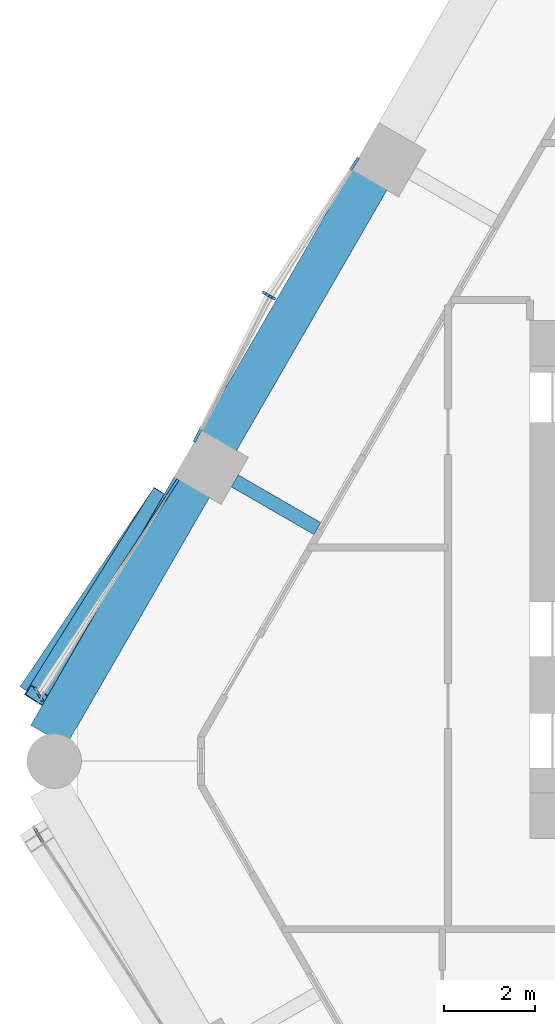
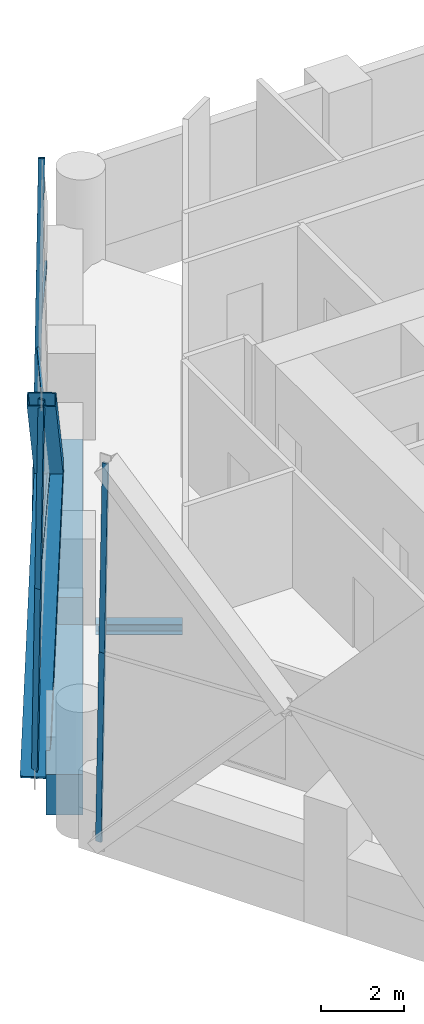
# One storey, part 4 of 16: 11 members, 3 beams, 3 elements without a shape of their own.
"""IFC4 building model written with IfcOpenShell, lengths in metres."""

from ifc_helpers import new_model, si_unit, direction, frame, origin, origin_2d, place, context, subcontext, project, spatial, rectangle, hollow_rectangle, i_section, extrude, material, material_profile, profile_set, type_object, element, aggregate, save


model = new_model("IFC4")

# Units and contexts
model_context = context("Model", 3, precision=1e-05, world=origin(), true_north=direction((0.0, 1.0)))
body_context = subcontext(model_context, "Body", "Model", "MODEL_VIEW")
ifc_project = project(units=[si_unit("LENGTHUNIT", "METRE"), si_unit("AREAUNIT", "SQUARE_METRE"), si_unit("VOLUMEUNIT", "CUBIC_METRE"), si_unit("PLANEANGLEUNIT", "RADIAN"), si_unit("MASSUNIT", "GRAM", prefix="KILO")], contexts=[model_context])

# Site, building, storey
site_placement = place(None, origin())
site = spatial("IfcSite", under=ifc_project, at=site_placement, CompositionType="ELEMENT")
building_placement = place(site_placement, origin())
building = spatial("IfcBuilding", under=site, at=building_placement, Name="Ostrander Bayou Hotel Tower", CompositionType="ELEMENT")
storey_placement = place(building_placement, frame((0.0, 0.0, 85.5)))
storey = spatial("IfcBuildingStorey", under=building, at=storey_placement, Name="L21", CompositionType="ELEMENT", Elevation=85.5)

# Curtain wall, members
ifc_material_1 = material(Name="Aluminium and clear glass", Category="aluminium")
curtain_wall_type = type_object("IfcCurtainWallType", Name="CW-LAT lattice glazing", PredefinedType="NOTDEFINED", material=ifc_material_1)
curtain_wall_1_placement = place(storey_placement, origin())
curtain_wall_1 = element("IfcCurtainWall", 1, at=curtain_wall_1_placement, inside=storey, type_object=curtain_wall_type, Name="CW-LAT L21 NW 1", PredefinedType="NOTDEFINED")
ifc_material_2 = material(Name="Aluminium", Category="aluminium")
ifc_material_profile_1 = material_profile(ifc_material_2, hollow_rectangle(XDim=0.06005859375, YDim=0.159912109375, WallThickness=0.00390625, at=origin_2d()))
ifc_profile_set_1 = profile_set([ifc_material_profile_1], Name="Aluminium")
member_type_1 = type_object("IfcMemberType", Name="CW-LA mullion 60 x 160 mm", PredefinedType="MULLION", material=ifc_profile_set_1)
member_1_placement = place(storey_placement, frame((-17.814208984375, 10.284912109375, -0.60009765625), z_axis=(0.012585478078, -0.007247499445, 0.999894534185), x_axis=(0.499032451057, 0.866583298242, 0.0)))
member_1 = element("IfcMember", 2, at=member_1_placement, type_object=member_type_1, Name="CW-LAT mullion 1", PredefinedType="MULLION", context=body_context, shape_type="SweptSolid", body=[
    extrude(hollow_rectangle(XDim=0.06005859375, YDim=0.159912109375, WallThickness=0.00390625, at=origin_2d()), origin(), (0.0, 0.0, 1.0), 5.62548828125),
])
member_2_placement = place(storey_placement, frame((-17.743408203125, 10.244140625, 5.02490234375), z_axis=(0.012628865384, -0.007290891356, 0.999893671678), x_axis=(0.499980071345, 0.866036909293, 0.0)))
member_2 = element("IfcMember", 3, at=member_2_placement, type_object=member_type_1, Name="CW-LAT mullion 2", PredefinedType="MULLION", context=body_context, shape_type="SweptSolid", body=[
    extrude(hollow_rectangle(XDim=0.06005859375, YDim=0.159912109375, WallThickness=0.00390625, at=origin_2d()), origin(), (0.0, 0.0, 1.0), 5.62548828125),
])
member_3_placement = place(storey_placement, frame((-22.8564453125, 1.551513671875, -0.60009765625), z_axis=(0.008418950603, -0.014537878618, 0.99985887572), x_axis=(0.865367327112, 0.50113809391, 0.0)))
member_3 = element("IfcMember", 4, at=member_3_placement, type_object=member_type_1, Name="CW-LAT mullion 5", PredefinedType="MULLION", context=body_context, shape_type="SweptSolid", body=[
    extrude(hollow_rectangle(XDim=0.06005859375, YDim=0.159912109375, WallThickness=0.00390625, at=origin_2d()), origin(), (0.0, 0.0, 1.0), 5.625732421875),
])
member_4_placement = place(storey_placement, frame((-22.80908203125, 1.4697265625, 5.02490234375), z_axis=(0.008375557002, -0.014537883916, 0.999859240081), x_axis=(0.866486855147, 0.499199889682, 0.0)))
member_4 = element("IfcMember", 5, at=member_4_placement, type_object=member_type_1, Name="CW-LAT mullion 6", PredefinedType="MULLION", context=body_context, shape_type="SweptSolid", body=[
    extrude(hollow_rectangle(XDim=0.06005859375, YDim=0.159912109375, WallThickness=0.00390625, at=origin_2d()), origin(), (0.0, 0.0, 1.0), 5.625732421875),
])
aggregate(curtain_wall_1, [member_1, member_2, member_3, member_4])

curtain_wall_2_placement = place(storey_placement, origin())
curtain_wall_2 = element("IfcCurtainWall", 6, at=curtain_wall_2_placement, inside=storey, type_object=curtain_wall_type, Name="CW-LAT L21 SW 1", PredefinedType="NOTDEFINED")
member_5_placement = place(storey_placement, frame((-22.8564453125, -1.551513671875, -0.60009765625), z_axis=(0.008418950603, -0.014537878618, 0.99985887572), x_axis=(0.865367327112, 0.50113809391, 0.0)))
member_5 = element("IfcMember", 7, at=member_5_placement, type_object=member_type_1, Name="CW-LAT mullion 1", PredefinedType="MULLION", context=body_context, shape_type="SweptSolid", body=[
    extrude(hollow_rectangle(XDim=0.06005859375, YDim=0.159912109375, WallThickness=0.00390625, at=origin_2d()), origin(), (0.0, 0.0, 1.0), 5.625732421875),
])
member_6_placement = place(storey_placement, frame((-22.80908203125, -1.63330078125, 5.02490234375), z_axis=(0.008375557002, -0.014537883916, 0.999859240081), x_axis=(0.866486855147, 0.499199889682, 0.0)))
member_6 = element("IfcMember", 8, at=member_6_placement, type_object=member_type_1, Name="CW-LAT mullion 2", PredefinedType="MULLION", context=body_context, shape_type="SweptSolid", body=[
    extrude(hollow_rectangle(XDim=0.06005859375, YDim=0.159912109375, WallThickness=0.00390625, at=origin_2d()), origin(), (0.0, 0.0, 1.0), 5.625732421875),
])
aggregate(curtain_wall_2, [member_5, member_6])

curtain_wall_3_placement = place(storey_placement, origin())
curtain_wall_3 = element("IfcCurtainWall", 9, at=curtain_wall_3_placement, inside=storey, type_object=curtain_wall_type, Name="CW-LAT L21 NW 2", PredefinedType="NOTDEFINED")
ifc_material_3 = material(Name="Aluminium", Category="aluminium")
ifc_material_profile_2 = material_profile(ifc_material_3, hollow_rectangle(XDim=0.06005859375, YDim=0.1201171875, WallThickness=0.00390625, at=origin_2d()))
ifc_profile_set_2 = profile_set([ifc_material_profile_2], Name="Aluminium")
member_type_2 = type_object("IfcMemberType", Name="CW-LA transom 60 x 120 mm", PredefinedType="USERDEFINED", material=ifc_profile_set_2)
member_7_placement = place(storey_placement, frame((-17.743408203125, 10.244140625, 5.02490234375), z_axis=(0.544446826203, 0.838795358498, 0.0), x_axis=(-0.838795358498, 0.544446826203, 0.0)))
member_7 = element("IfcMember", 10, at=member_7_placement, type_object=member_type_2, Name="CW-LAT transom 3", ObjectType="TRANSOM", PredefinedType="USERDEFINED", context=body_context, shape_type="SweptSolid", body=[
    extrude(hollow_rectangle(XDim=0.06005859375, YDim=0.1201171875, WallThickness=0.00390625, at=origin_2d()), origin(), (0.0, 0.0, 1.0), 3.61376953125),
])
member_8_placement = place(storey_placement, frame((-17.743408203125, 10.244140625, 5.02490234375), z_axis=(-0.454202173952, -0.890898639115, 0.0), x_axis=(0.890898639115, -0.454202173952, 0.0)))
member_8 = element("IfcMember", 11, at=member_8_placement, type_object=member_type_2, Name="CW-LAT transom 4", ObjectType="TRANSOM", PredefinedType="USERDEFINED", context=body_context, shape_type="SweptSolid", body=[
    extrude(hollow_rectangle(XDim=0.06005859375, YDim=0.1201171875, WallThickness=0.00390625, at=origin_2d()), origin(), (0.0, 0.0, 1.0), 3.612060546875),
])
member_9_placement = place(storey_placement, frame((-22.80908203125, 1.4697265625, 5.02490234375), z_axis=(0.544395572658, 0.838828624017, 0.0), x_axis=(-0.838828624017, 0.544395572658, 0.0)))
member_9 = element("IfcMember", 12, at=member_9_placement, type_object=member_type_2, Name="CW-LAT transom 7", ObjectType="TRANSOM", PredefinedType="USERDEFINED", context=body_context, shape_type="SweptSolid", body=[
    extrude(hollow_rectangle(XDim=0.06005859375, YDim=0.1201171875, WallThickness=0.00390625, at=origin_2d()), origin(), (0.0, 0.0, 1.0), 5.632568359375),
])
aggregate(curtain_wall_3, [member_7, member_8, member_9])

# Beam
ifc_material_4 = material(Name="Steel ASTM A992", Category="steel")
ifc_material_profile_3 = material_profile(ifc_material_4, i_section(OverallWidth=0.3046875, OverallDepth=0.307861328125, WebThickness=0.010009765625, FlangeThickness=0.015380859375, at=origin_2d()))
ifc_profile_set_3 = profile_set([ifc_material_profile_3], Name="Steel ASTM A992")
beam_type_1 = type_object("IfcBeamType", Name="LB1 loggia bracket W12x65", PredefinedType="BEAM", material=ifc_profile_set_3)
beam_1_placement = place(storey_placement, frame((-18.494384765625, 6.166748046875, -0.453857421875), z_axis=(0.866009402589, -0.500027713859, 0.0), x_axis=(0.500027713859, 0.866009402589, 0.0)))
element("IfcBeam", 13, at=beam_1_placement, inside=storey, type_object=beam_type_1, Name="LB1 L21 NW2", PredefinedType="BEAM", context=body_context, shape_type="SweptSolid", body=[
    extrude(i_section(OverallWidth=0.3046875, OverallDepth=0.307861328125, WebThickness=0.010009765625, FlangeThickness=0.015380859375, at=origin_2d()), origin(), (0.0, 0.0, 1.0), 2.10009765625),
])

# Members
ifc_material_5 = material(Name="Steel ASTM A572 Gr 50", Category="steel")
ifc_material_profile_4 = material_profile(ifc_material_5, hollow_rectangle(XDim=0.699951171875, YDim=0.35009765625, WallThickness=0.02490234375, at=origin_2d()))
ifc_profile_set_4 = profile_set([ifc_material_profile_4], Name="Steel ASTM A572 Gr 50")
member_type_3 = type_object("IfcMemberType", Name="LT1 lattice member box 700 x 350 x 25 mm", PredefinedType="BRACE", material=ifc_profile_set_4)
member_10_placement = place(storey_placement, frame((-20.04736328125, 5.724853515625, 5.02490234375), z_axis=(-0.372240751599, -0.553023066907, -0.745387355888), x_axis=(0.829578236583, -0.558390499013, 0.0)))
element("IfcMember", 14, at=member_10_placement, inside=storey, type_object=member_type_3, Name="LT1 L21 NW 1", PredefinedType="BRACE", context=body_context, shape_type="SweptSolid", body=[
    extrude(hollow_rectangle(XDim=0.699951171875, YDim=0.35009765625, WallThickness=0.02490234375, at=origin_2d()), origin(), (0.0, 0.0, 1.0), 7.54638671875),
])
member_11_placement = place(storey_placement, frame((-20.04736328125, 5.724853515625, 5.02490234375), z_axis=(-0.357003417433, -0.570357829596, 0.739757058878), x_axis=(0.847644258819, -0.53056499177, 0.0)))
element("IfcMember", 15, at=member_11_placement, inside=storey, type_object=member_type_3, Name="LT1 L21 NW 2", PredefinedType="BRACE", context=body_context, shape_type="SweptSolid", body=[
    extrude(hollow_rectangle(XDim=0.699951171875, YDim=0.35009765625, WallThickness=0.02490234375, at=origin_2d()), origin(), (0.0, 0.0, 1.0), 7.603759765625),
])

# Beams
ifc_material_6 = material(Name="Concrete f'c 70 MPa", Category="concrete")
ifc_material_profile_5 = material_profile(ifc_material_6, rectangle(XDim=0.89990234375, YDim=1.199951171875, at=origin_2d()))
ifc_profile_set_5 = profile_set([ifc_material_profile_5], Name="Concrete f'c 70 MPa")
beam_type_2 = type_object("IfcBeamType", Name="SP2 spandrel beam 900 x 1200 mm f'c 70 MPa", PredefinedType="SPANDREL", material=ifc_profile_set_5)
beam_2_placement = place(storey_placement, frame((-15.522216796875, 12.814697265625, -0.60009765625), z_axis=(-0.499999023957, -0.866025967302, 0.0), x_axis=(0.866025967302, -0.499999023957, 0.0)))
element("IfcBeam", 16, at=beam_2_placement, inside=storey, type_object=beam_type_2, Name="SP2 L21 NW-2", PredefinedType="SPANDREL", context=body_context, shape_type="SweptSolid", body=[
    extrude(rectangle(XDim=0.89990234375, YDim=1.199951171875, at=origin_2d()), origin(), (0.0, 0.0, 1.0), 6.67333984375),
])
beam_3_placement = place(storey_placement, frame((-19.428955078125, 6.048095703125, -0.60009765625), z_axis=(-0.500011668103, -0.866018667098, 0.0), x_axis=(0.866018667098, -0.500011668103, 0.0)))
element("IfcBeam", 17, at=beam_3_placement, inside=storey, type_object=beam_type_2, Name="SP2 L21 NW-3", PredefinedType="SPANDREL", context=body_context, shape_type="SweptSolid", body=[
    extrude(rectangle(XDim=0.89990234375, YDim=1.199951171875, at=origin_2d()), origin(), (0.0, 0.0, 1.0), 6.332763671875),
])

save(model, "model.ifc")
